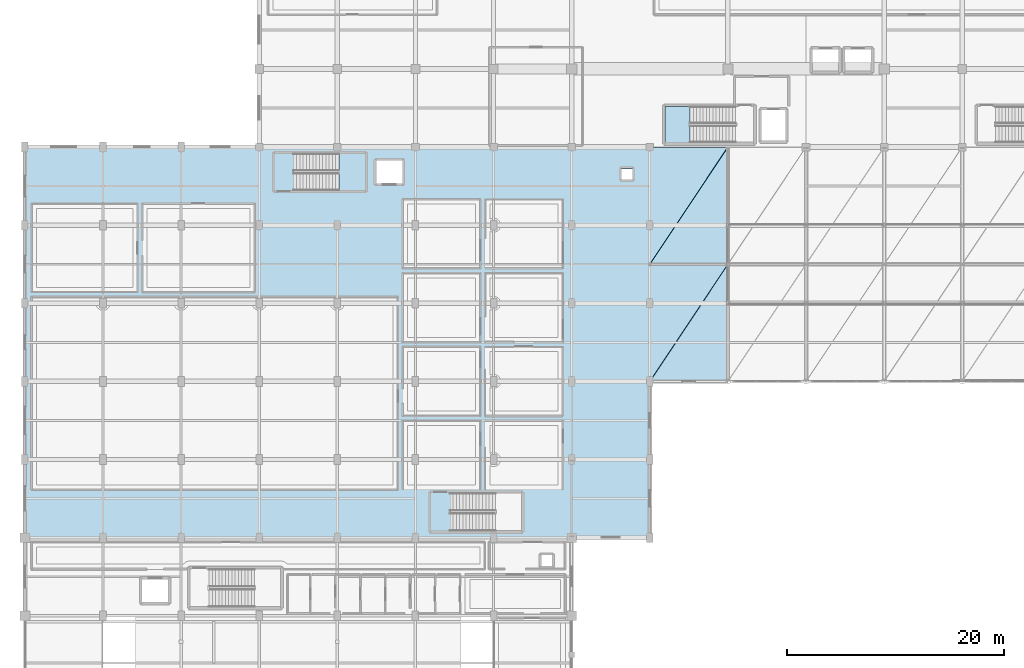
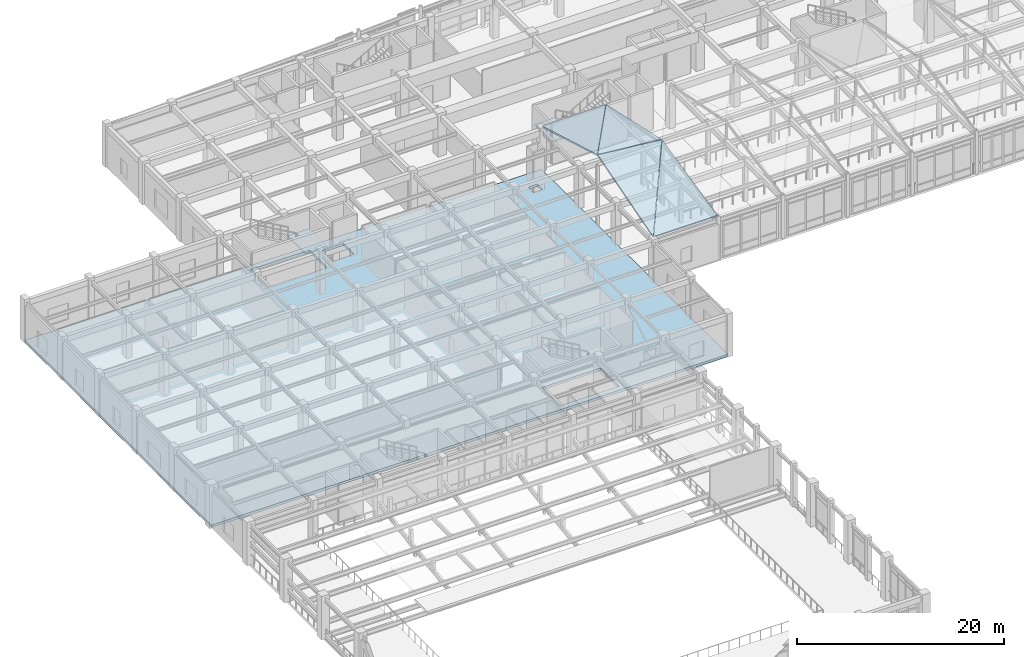
# One storey, part 71 of 117: 7 slabs, 2 elements without a shape of their own.
"""IFC4 building model written with IfcOpenShell, lengths in metres."""

from ifc_helpers import new_model, si_unit, direction, frame, origin, place, context, subcontext, project, spatial, polyline, outline, extrude, material, layer, layer_set, type_object, element, aggregate, save


model = new_model("IFC4")

# Units and contexts
model_context = context("Model", 3, precision=1e-05, world=origin(), true_north=direction((0.0, 1.0)))
body_context = subcontext(model_context, "Body", "Model", "MODEL_VIEW")
ifc_project = project(units=[si_unit("LENGTHUNIT", "METRE"), si_unit("AREAUNIT", "SQUARE_METRE"), si_unit("VOLUMEUNIT", "CUBIC_METRE"), si_unit("PLANEANGLEUNIT", "RADIAN"), si_unit("MASSUNIT", "GRAM", prefix="KILO")], contexts=[model_context])

# Site, building, storey
site_placement = place(None, origin())
site = spatial("IfcSite", under=ifc_project, at=site_placement, CompositionType="ELEMENT")
building_placement = place(site_placement, origin())
building = spatial("IfcBuilding", under=site, at=building_placement, Name="Carrowvane Square Congress Hotel", CompositionType="ELEMENT")
storey_placement = place(building_placement, frame((0.0, 0.0, 5.39990234375)))
storey = spatial("IfcBuildingStorey", under=building, at=storey_placement, Name="L01", CompositionType="ELEMENT", Elevation=5.39990234375)

# Slab
ifc_material_1 = material(Name="Concrete C35/45", Category="concrete")
ifc_layer_1 = layer(ifc_material_1, 0.300048828125)
ifc_layer_set_1 = layer_set([ifc_layer_1], Name="Concrete C35/45")
slab_type_1 = type_object("IfcSlabType", Name="SLB-FLR-300", PredefinedType="FLOOR", material=ifc_layer_set_1)
slab_1_placement = place(storey_placement, frame((0.0, 0.0, -0.2998046875)))
element("IfcSlab", 1, at=slab_1_placement, inside=storey, type_object=slab_type_1, Name="L01 V4 structural slab", PredefinedType="FLOOR", context=body_context, shape_type="SweptSolid", body=[
    extrude(outline(polyline([(11.60009765625, 55.800048828125), (69.199951171875, 55.800048828125), (69.199951171875, 91.800048828125), (11.60009765625, 91.800048828125), (11.60009765625, 55.800048828125)]), holes=[polyline([(36.389892578125, 87.800048828125), (43.0, 87.800048828125), (43.0, 91.199951171875), (36.389892578125, 91.199951171875), (36.389892578125, 87.800048828125)]), polyline([(50.820068359375, 56.39990234375), (57.39990234375, 56.39990234375), (57.39990234375, 59.919921875), (50.820068359375, 59.919921875), (50.820068359375, 56.39990234375)]), polyline([(66.60009765625, 88.800048828125), (67.60009765625, 88.800048828125), (67.60009765625, 89.800048828125), (66.60009765625, 89.800048828125), (66.60009765625, 88.800048828125)]), polyline([(44.0, 88.449951171875), (46.39990234375, 88.449951171875), (46.39990234375, 90.550048828125), (44.0, 90.550048828125), (44.0, 88.449951171875)])]), origin(), (0.0, 0.0, 1.0), 0.2998046875),
])

# Stair, slab
ifc_material_2 = material(Name="Concrete C35/45", Category="concrete")
stair_type_1 = type_object("IfcStairType", Name="STR-DOG-03", PredefinedType="HALF_TURN_STAIR", material=ifc_material_2)
stair_1_placement = place(storey_placement, origin())
stair_1 = element("IfcStair", 2, at=stair_1_placement, inside=storey, type_object=stair_type_1, Name="L01 Core C2 Central Hotel Firefighting Stair", PredefinedType="HALF_TURN_STAIR")
ifc_material_3 = material(Name="Concrete C35/45", Category="concrete")
ifc_layer_2 = layer(ifc_material_3, 0.199951171875)
ifc_layer_set_2 = layer_set([ifc_layer_2], Name="Concrete C35/45")
slab_type_2 = type_object("IfcSlabType", Name="SLB-LND-200", PredefinedType="LANDING", material=ifc_layer_set_2)
slab_2_placement = place(storey_placement, frame((0.0, 0.0, 2.35009765625)))
slab_2 = element("IfcSlab", 3, at=slab_2_placement, type_object=slab_type_2, Name="ST2 landing 1", PredefinedType="LANDING", context=body_context, shape_type="SweptSolid", body=[
    extrude(outline(polyline([(72.919921875, 95.56005859375), (70.60009765625, 95.56005859375), (70.60009765625, 92.199951171875), (72.919921875, 92.199951171875), (72.919921875, 95.56005859375)])), origin(), (0.0, 0.0, 1.0), 0.199951171875),
])
aggregate(stair_1, [slab_2])

ifc_material_4 = material(Name="Concrete C35/45", Category="concrete")
stair_type_2 = type_object("IfcStairType", Name="STR-DOG-07", PredefinedType="HALF_TURN_STAIR", material=ifc_material_4)
stair_2_placement = place(storey_placement, origin())
stair_2 = element("IfcStair", 4, at=stair_2_placement, inside=storey, type_object=stair_type_2, Name="L01 Core C5 West Spa Escape Stair", PredefinedType="HALF_TURN_STAIR")
slab_3_placement = place(storey_placement, frame((0.0, 0.0, 2.35009765625)))
slab_3 = element("IfcSlab", 5, at=slab_3_placement, type_object=slab_type_2, Name="ST5 landing 1", PredefinedType="LANDING", context=body_context, shape_type="SweptSolid", body=[
    extrude(outline(polyline([(40.550048828125, 87.800048828125), (43.0, 87.800048828125), (43.0, 91.199951171875), (40.550048828125, 91.199951171875), (40.550048828125, 87.800048828125)])), origin(), (0.0, 0.0, 1.0), 0.199951171875),
])
aggregate(stair_2, [slab_3])

# Slabs
ifc_material_5 = material(Name="Concrete C35/45", Category="concrete")
ifc_layer_3 = layer(ifc_material_5, 0.179931640625)
ifc_layer_set_3 = layer_set([ifc_layer_3], Name="Concrete C35/45")
slab_type_3 = type_object("IfcSlabType", Name="SLB-ROOF-180", PredefinedType="ROOF", material=ifc_layer_set_3)
slab_4_placement = place(storey_placement, frame((69.239990234375, 70.22998046875, 5.10693359375), z_axis=(-4.383161e-06, -0.220840809728, 0.975309867037), x_axis=(0.999998579312, 0.00164304552, 0.000376531265)))
element("IfcSlab", 6, at=slab_4_placement, inside=storey, type_object=slab_type_3, Name="Public passage folded triangle roof 1", PredefinedType="ROOF", context=body_context, shape_type="SweptSolid", body=[
    extrude(outline(polyline([(0.0, 0.0), (7.13233435157322, 1.8431436932253575e-18), (7.1628089817010565, 10.982050925070649), (0.0, 0.0)])), origin(), (0.0, 0.0, -1.0), 0.179931640625),
])
slab_5_placement = place(storey_placement, frame((69.2158203125, 70.247314453125, 5.1123046875), z_axis=(0.092953598408, -0.278435749752, 0.955946212819), x_axis=(0.544883583365, 0.817800190732, 0.185215357405)))
element("IfcSlab", 7, at=slab_5_placement, inside=storey, type_object=slab_type_3, Name="Public passage folded triangle roof 2", PredefinedType="ROOF", context=body_context, shape_type="SweptSolid", body=[
    extrude(outline(polyline([(0.0, 0.0), (13.111584432873482, -4.440892098500626e-16), (9.343747079845496, 6.095074913261554), (0.0, 0.0)])), origin(), (0.0, 0.0, -1.0), 0.179931640625),
])
slab_6_placement = place(storey_placement, frame((69.239990234375, 81.030029296875, 8.235107421875), z_axis=(0.094401415205, 0.21987583827, 0.970949529354), x_axis=(0.995270547048, 0.001601208863, -0.097128648238)))
element("IfcSlab", 8, at=slab_6_placement, inside=storey, type_object=slab_type_3, Name="Public passage folded triangle roof 3", PredefinedType="ROOF", context=body_context, shape_type="SweptSolid", body=[
    extrude(outline(polyline([(0.0, 0.0), (7.166216502541358, -5.551115123125783e-17), (7.430981360139511, 10.97946302420683), (0.0, 0.0)])), origin(), (0.0, 0.0, -1.0), 0.179931640625),
])
slab_7_placement = place(storey_placement, frame((69.2158203125, 81.04736328125, 8.23193359375), z_axis=(6.47225e-07, 0.279636945866, 0.960105816307), x_axis=(0.53887370969, 0.80878014317, -0.235562741153)))
element("IfcSlab", 9, at=slab_7_placement, inside=storey, type_object=slab_type_3, Name="Public passage folded triangle roof 4", PredefinedType="ROOF", context=body_context, shape_type="SweptSolid", body=[
    extrude(outline(polyline([(0.0, 0.0), (13.257813437376962, 2.7755575615628914e-16), (9.404108388517836, 6.0015960518329985), (0.0, 0.0)])), origin(), (0.0, 0.0, -1.0), 0.179931640625),
])

save(model, "model.ifc")
